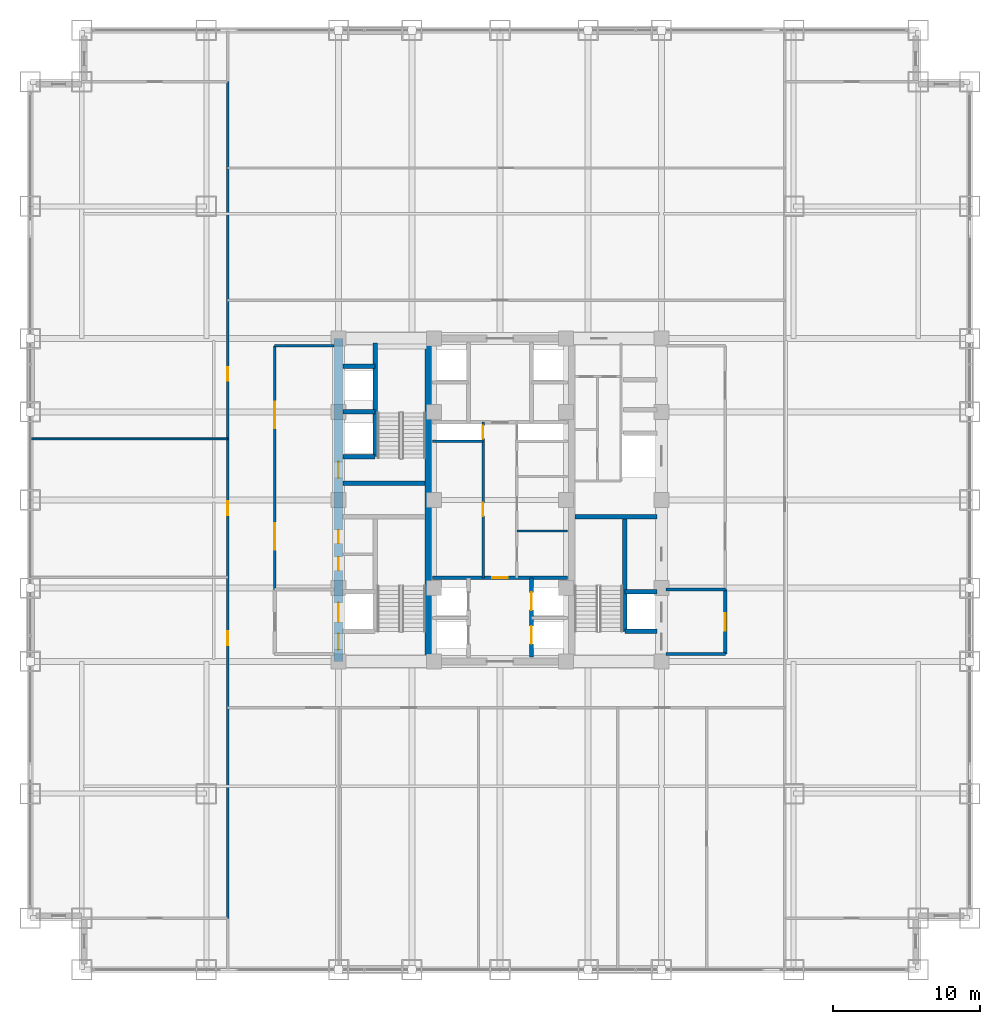
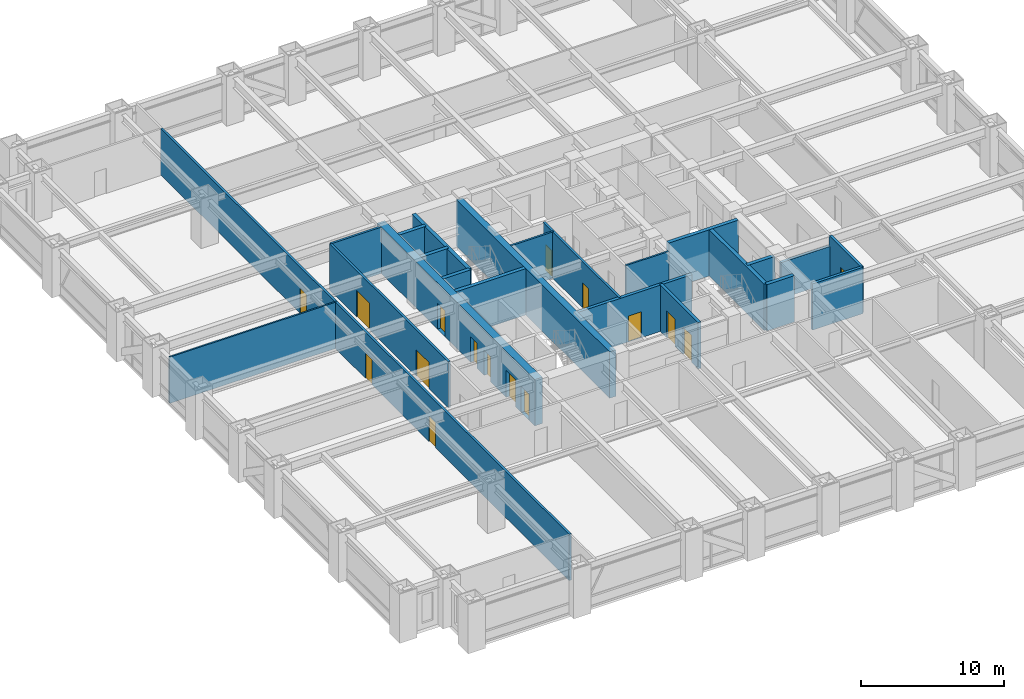
# One storey, part 24 of 27: 23 walls, 16 doors, 16 openings.
"""IFC4 building model written with IfcOpenShell, lengths in metres."""

from ifc_helpers import new_model, si_unit, direction, frame, frame_2d, origin, place, context, subcontext, project, spatial, rectangle, extrude, source, transform, mapped, material, layer, layer_set, type_object, element, fill, save


model = new_model("IFC4")

# Units and contexts
model_context = context("Model", 3, precision=1e-05, world=origin(), true_north=direction((0.0, 1.0)))
body_context = subcontext(model_context, "Body", "Model", "MODEL_VIEW")
ifc_project = project(units=[si_unit("LENGTHUNIT", "METRE"), si_unit("AREAUNIT", "SQUARE_METRE"), si_unit("VOLUMEUNIT", "CUBIC_METRE"), si_unit("PLANEANGLEUNIT", "RADIAN"), si_unit("MASSUNIT", "GRAM", prefix="KILO")], contexts=[model_context])

# Site, building, storey
site_placement = place(None, origin())
site = spatial("IfcSite", under=ifc_project, at=site_placement, CompositionType="ELEMENT")
building_placement = place(site_placement, origin())
building = spatial("IfcBuilding", under=site, at=building_placement, Name="Khorayat Bourse Tower", CompositionType="ELEMENT")
storey_placement = place(building_placement, frame((0.0, 0.0, 49.39990234375)))
storey = spatial("IfcBuildingStorey", under=building, at=storey_placement, Name="L10", CompositionType="ELEMENT", Elevation=49.39990234375)

# Wall, openings, doors
ifc_material_1 = material(Name="Concrete C60/75", Category="concrete")
ifc_layer_1 = layer(ifc_material_1, 0.60009765625)
ifc_layer_set_1 = layer_set([ifc_layer_1], Name="Concrete C60/75")
wall_type_1 = type_object("IfcWallType", Name="WAL-CORE-600", PredefinedType="SHEAR", material=ifc_layer_set_1)
shared_shape_1 = source(origin(), body_context, "Body", "SweptSolid", [
    extrude(rectangle(XDim=22.0, YDim=0.60009765625, at=frame_2d((11.0, 0.0))), origin(), (0.0, 0.0, 1.0), 3.940185546875),
])
wall_1_placement = place(storey_placement, frame((-11.0, -11.0, 0.0), z_axis=(0.0, 0.0, 1.0), x_axis=(0.0, 1.0, 0.0)))
wall_1 = element("IfcWall", 1, at=wall_1_placement, inside=storey, type_object=wall_type_1, Name="L10 Core Shear Wall CORE-W", PredefinedType="SHEAR", context=body_context, shape_type="MappedRepresentation", body=[
    mapped(shared_shape_1, transform((0.0, 0.0, 0.0), scale=1.0)),
])
shared_shape_2 = source(origin(), body_context, "Body", "SweptSolid", [
    extrude(rectangle(XDim=1.10009765625, YDim=2.199951171875, at=frame_2d((0.550048828125, 1.10009765625))), frame((0.0, 0.31005859375, 0.0), z_axis=(0.0, -1.0, 0.0), x_axis=(1.0, 0.0, 0.0)), (0.0, 0.0, 1.0), 0.6201171875),
])
opening_1_placement = place(wall_1_placement, frame((0.800048828125, 0.0, 0.0)))
opening_1 = element("IfcOpeningElement", 2, at=opening_1_placement, cuts=wall_1, Name="Opening DI-01", PredefinedType="OPENING", context=body_context, shape_type="MappedRepresentation", body=[
    mapped(shared_shape_2, transform((0.0, 0.0, 0.0), scale=1.0)),
])
opening_2_placement = place(wall_1_placement, frame((12.5, 0.0, 0.0)))
opening_2 = element("IfcOpeningElement", 3, at=opening_2_placement, cuts=wall_1, Name="Opening DI-01", PredefinedType="OPENING", context=body_context, shape_type="MappedRepresentation", body=[
    mapped(shared_shape_2, transform((0.0, 0.0, 0.0), scale=1.0)),
])
shared_shape_3 = source(origin(), body_context, "Body", "SweptSolid", [
    extrude(rectangle(XDim=0.89990234375, YDim=2.14990234375, at=frame_2d((0.449951171875, 1.074951171875))), frame((0.0, 0.31005859375, 0.0), z_axis=(0.0, -1.0, 0.0), x_axis=(1.0, 0.0, 0.0)), (0.0, 0.0, 1.0), 0.6201171875),
])
opening_3_placement = place(wall_1_placement, frame((6.199951171875, 0.0, 0.0)))
opening_3 = element("IfcOpeningElement", 4, at=opening_3_placement, cuts=wall_1, Name="Opening DI-06", PredefinedType="OPENING", context=body_context, shape_type="MappedRepresentation", body=[
    mapped(shared_shape_3, transform((0.0, 0.0, 0.0), scale=1.0)),
])
opening_4_placement = place(wall_1_placement, frame((8.050048828125, 0.0, 0.0)))
opening_4 = element("IfcOpeningElement", 5, at=opening_4_placement, cuts=wall_1, Name="Opening DI-06", PredefinedType="OPENING", context=body_context, shape_type="MappedRepresentation", body=[
    mapped(shared_shape_3, transform((0.0, 0.0, 0.0), scale=1.0)),
])
shared_shape_4 = source(origin(), body_context, "Body", "SweptSolid", [
    extrude(rectangle(XDim=1.300048828125, YDim=2.300048828125, at=frame_2d((0.64990234375, 1.14990234375))), frame((0.0, 0.31005859375, 0.0), z_axis=(0.0, -1.0, 0.0), x_axis=(1.0, 0.0, 0.0)), (0.0, 0.0, 1.0), 0.6201171875),
])
opening_5_placement = place(wall_1_placement, frame((2.699951171875, 0.0, 0.0)))
opening_5 = element("IfcOpeningElement", 6, at=opening_5_placement, cuts=wall_1, Name="Opening LD-02", PredefinedType="OPENING", context=body_context, shape_type="MappedRepresentation", body=[
    mapped(shared_shape_4, transform((0.0, 0.0, 0.0), scale=1.0)),
])
ifc_material_2 = material(Name="Fire-rated steel acoustic leaf", Category="steel")
door_type_1 = type_object("IfcDoorType", Name="DR-INT-STAIR-1100", OperationType="NOTDEFINED", PredefinedType="DOOR", material=ifc_material_2)
shared_shape_5 = source(origin(), body_context, "Body", "SweptSolid", [
    extrude(rectangle(XDim=1.10009765625, YDim=2.199951171875, at=frame_2d((0.550048828125, 1.10009765625))), frame((0.0, 0.02490234375, 0.0), z_axis=(0.0, -1.0, 0.0), x_axis=(1.0, 0.0, 0.0)), (0.0, 0.0, 1.0), 0.050048828125),
])
door_1_placement = place(opening_1_placement, origin())
door_1 = element("IfcDoor", 7, at=door_1_placement, inside=storey, type_object=door_type_1, Name="L10 Exit Stair 1 Door", OperationType="SINGLE_SWING_RIGHT", OverallHeight=2.199951171875, OverallWidth=1.10009765625, PredefinedType="DOOR", context=body_context, shape_type="MappedRepresentation", body=[
    mapped(shared_shape_5, transform((0.0, 0.0, 0.0), scale=1.0)),
])
fill(opening_1, door_1)
door_2_placement = place(opening_2_placement, origin())
door_2 = element("IfcDoor", 8, at=door_2_placement, inside=storey, type_object=door_type_1, Name="L10 Exit Stair 2 Door", OperationType="SINGLE_SWING_RIGHT", OverallHeight=2.199951171875, OverallWidth=1.10009765625, PredefinedType="DOOR", context=body_context, shape_type="MappedRepresentation", body=[
    mapped(shared_shape_5, transform((0.0, 0.0, 0.0), scale=1.0)),
])
fill(opening_2, door_2)
ifc_material_3 = material(Name="Moisture-resistant laminate washroom door")
door_type_2 = type_object("IfcDoorType", Name="DR-INT-WC-900", OperationType="NOTDEFINED", PredefinedType="DOOR", material=ifc_material_3)
shared_shape_6 = source(origin(), body_context, "Body", "SweptSolid", [
    extrude(rectangle(XDim=0.89990234375, YDim=2.14990234375, at=frame_2d((0.449951171875, 1.074951171875))), frame((0.0, 0.02490234375, 0.0), z_axis=(0.0, -1.0, 0.0), x_axis=(1.0, 0.0, 0.0)), (0.0, 0.0, 1.0), 0.050048828125),
])
door_3_placement = place(opening_3_placement, origin())
door_3 = element("IfcDoor", 9, at=door_3_placement, inside=storey, type_object=door_type_2, Name="L10 Electrical Plant Room Door", OperationType="SINGLE_SWING_RIGHT", OverallHeight=2.14990234375, OverallWidth=0.89990234375, PredefinedType="DOOR", context=body_context, shape_type="MappedRepresentation", body=[
    mapped(shared_shape_6, transform((0.0, 0.0, 0.0), scale=1.0)),
])
fill(opening_3, door_3)
door_4_placement = place(opening_4_placement, origin())
door_4 = element("IfcDoor", 10, at=door_4_placement, inside=storey, type_object=door_type_2, Name="L10 Cleaner Storage Room Door", OperationType="SINGLE_SWING_LEFT", OverallHeight=2.14990234375, OverallWidth=0.89990234375, PredefinedType="DOOR", context=body_context, shape_type="MappedRepresentation", body=[
    mapped(shared_shape_6, transform((0.0, 0.0, 0.0), scale=1.0)),
])
fill(opening_4, door_4)
ifc_material_4 = material(Name="Fire-rated stainless-steel sliding landing door", Category="steel")
door_type_3 = type_object("IfcDoorType", Name="DR-LIFT-FF-1300", OperationType="NOTDEFINED", PredefinedType="DOOR", material=ifc_material_4)
shared_shape_7 = source(origin(), body_context, "Body", "SweptSolid", [
    extrude(rectangle(XDim=1.300048828125, YDim=2.300048828125, at=frame_2d((0.64990234375, 1.14990234375))), frame((0.0, 0.02490234375, 0.0), z_axis=(0.0, -1.0, 0.0), x_axis=(1.0, 0.0, 0.0)), (0.0, 0.0, 1.0), 0.050048828125),
])
door_5_placement = place(opening_5_placement, origin())
door_5 = element("IfcDoor", 11, at=door_5_placement, inside=storey, type_object=door_type_3, Name="L10 Lift FFL-01 Sliding Landing Door", OperationType="SLIDING_TO_LEFT", OverallHeight=2.300048828125, OverallWidth=1.300048828125, PredefinedType="DOOR", context=body_context, shape_type="MappedRepresentation", body=[
    mapped(shared_shape_7, transform((0.0, 0.0, 0.0), scale=1.0)),
])
fill(opening_5, door_5)

# Walls
ifc_material_5 = material(Name="Concrete C52/65", Category="concrete")
ifc_layer_2 = layer(ifc_material_5, 0.5)
ifc_layer_set_2 = layer_set([ifc_layer_2], Name="Concrete C52/65")
wall_type_2 = type_object("IfcWallType", Name="WAL-CORE-500", PredefinedType="SHEAR", material=ifc_layer_set_2)
shared_shape_8 = source(origin(), body_context, "Body", "SweptSolid", [
    extrude(rectangle(XDim=21.39990234375, YDim=0.5, at=frame_2d((10.699951171875, 0.0))), origin(), (0.0, 0.0, 1.0), 3.940185546875),
])
wall_2_placement = place(storey_placement, frame((-4.85009765625, -10.699951171875, 0.0), z_axis=(0.0, 0.0, 1.0), x_axis=(0.0, 1.0, 0.0)))
element("IfcWall", 12, at=wall_2_placement, inside=storey, type_object=wall_type_2, Name="L10 Core Shear Wall PIER-W", PredefinedType="SHEAR", context=body_context, shape_type="MappedRepresentation", body=[
    mapped(shared_shape_8, transform((0.0, 0.0, 0.0), scale=1.0)),
])
ifc_material_6 = material(Name="Concrete C50/60", Category="concrete")
ifc_layer_3 = layer(ifc_material_6, 0.300048828125)
ifc_layer_set_3 = layer_set([ifc_layer_3], Name="Concrete C50/60")
wall_type_3 = type_object("IfcWallType", Name="WAL-SHAFT-300", PredefinedType="SHEAR", material=ifc_layer_set_3)
shared_shape_9 = source(origin(), body_context, "Body", "SweptSolid", [
    extrude(rectangle(XDim=5.599853515625, YDim=0.300048828125, at=frame_2d((2.7998046875, 0.0))), origin(), (0.0, 0.0, 1.0), 3.940185546875),
])
for number, where, z_axis, x_axis, name in (
    (13, (-10.699951171875, 1.14990234375, 0.0), (0.0, 0.0, 1.0), (1.0, 0.0, 0.0), "L10 Core Shear Wall ST2-DIV"),
    (14, (5.10009765625, -1.14990234375, 0.0), (0.0, 0.0, 1.0), (1.0, 0.0, 0.0), "L10 Core Shear Wall ST3-DIV"),
):
    element("IfcWall", number, at=place(storey_placement, frame(where, z_axis=z_axis, x_axis=x_axis)), inside=storey, type_object=wall_type_3, Name=name, PredefinedType="SHEAR", context=body_context, shape_type="MappedRepresentation", body=[
        mapped(shared_shape_9, transform((0.0, 0.0, 0.0), scale=1.0)),
    ])
shared_shape_10 = source(origin(), body_context, "Body", "SweptSolid", [
    extrude(rectangle(XDim=7.800048828125, YDim=0.300048828125, at=frame_2d((3.89990234375, 0.0))), origin(), (0.0, 0.0, 1.0), 3.940185546875),
])
wall_3_placement = place(storey_placement, frame((8.5, -8.949951171875, 0.0), z_axis=(0.0, 0.0, 1.0), x_axis=(0.0, 1.0, 0.0)))
element("IfcWall", 15, at=wall_3_placement, inside=storey, type_object=wall_type_3, Name="L10 Partition WAL-L10-EPIER-SP", PredefinedType="SHEAR", context=body_context, shape_type="MappedRepresentation", body=[
    mapped(shared_shape_10, transform((0.0, 0.0, 0.0), scale=1.0)),
])
shared_shape_11 = source(origin(), body_context, "Body", "SweptSolid", [
    extrude(rectangle(XDim=2.199951171875, YDim=0.300048828125, at=frame_2d((1.10009765625, 0.0))), origin(), (0.0, 0.0, 1.0), 3.940185546875),
])
for number, where, z_axis, x_axis, name in (
    (16, (-10.699951171875, 2.949951171875, 0.0), (0.0, 0.0, 1.0), (1.0, 0.0, 0.0), "L10 Partition WAL-L10-WPIER-H1S"),
    (17, (-10.699951171875, 6.0, 0.0), (0.0, 0.0, 1.0), (1.0, 0.0, 0.0), "L10 Partition WAL-L10-WPIER-H12"),
    (18, (-10.699951171875, 9.10009765625, 0.0), (0.0, 0.0, 1.0), (1.0, 0.0, 0.0), "L10 Partition WAL-L10-WPIER-H2N"),
    (19, (8.5, -8.949951171875, 0.0), (0.0, 0.0, 1.0), (1.0, 0.0, 0.0), "L10 Partition WAL-L10-EPIER-FF2S"),
    (20, (8.5, -6.25, 0.0), (0.0, 0.0, 1.0), (1.0, 0.0, 0.0), "L10 Partition WAL-L10-EPIER-FF2N"),
):
    element("IfcWall", number, at=place(storey_placement, frame(where, z_axis=z_axis, x_axis=x_axis)), inside=storey, type_object=wall_type_3, Name=name, PredefinedType="SHEAR", context=body_context, shape_type="MappedRepresentation", body=[
        mapped(shared_shape_11, transform((0.0, 0.0, 0.0), scale=1.0)),
    ])
shared_shape_12 = source(origin(), body_context, "Body", "SweptSolid", [
    extrude(rectangle(XDim=7.75, YDim=0.300048828125, at=frame_2d((3.875, 0.0))), origin(), (0.0, 0.0, 1.0), 3.940185546875),
])
wall_4_placement = place(storey_placement, frame((-8.5, 2.949951171875, 0.0), z_axis=(0.0, 0.0, 1.0), x_axis=(0.0, 1.0, 0.0)))
element("IfcWall", 21, at=wall_4_placement, inside=storey, type_object=wall_type_3, Name="L10 Partition WAL-L10-WPIER-ST2S", PredefinedType="SHEAR", context=body_context, shape_type="MappedRepresentation", body=[
    mapped(shared_shape_12, transform((0.0, 0.0, 0.0), scale=1.0)),
])
ifc_material_7 = material(Name="Aerated concrete blockwork", Category="masonry")
ifc_layer_4 = layer(ifc_material_7, 0.219970703125)
ifc_layer_set_4 = layer_set([ifc_layer_4], Name="Aerated concrete blockwork")
wall_type_4 = type_object("IfcWallType", Name="WAL-PART-FF-220", PredefinedType="PARTITIONING", material=ifc_layer_set_4)
shared_shape_13 = source(origin(), body_context, "Body", "SweptSolid", [
    extrude(rectangle(XDim=4.050048828125, YDim=0.219970703125, at=frame_2d((2.02490234375, 0.0))), origin(), (0.0, 0.0, 1.0), 3.940185546875),
])
wall_5_placement = place(storey_placement, frame((11.300048828125, -10.5, 0.0), z_axis=(0.0, 0.0, 1.0), x_axis=(1.0, 0.0, 0.0)))
element("IfcWall", 22, at=wall_5_placement, inside=storey, type_object=wall_type_4, Name="L10 Partition WAL-L10-FFLE-S", PredefinedType="PARTITIONING", context=body_context, shape_type="MappedRepresentation", body=[
    mapped(shared_shape_13, transform((0.0, 0.0, 0.0), scale=1.0)),
])
shared_shape_14 = source(origin(), body_context, "Body", "SweptSolid", [
    extrude(rectangle(XDim=4.050048828125, YDim=0.219970703125, at=frame_2d((2.02490234375, 0.0))), origin(), (0.0, 0.0, 1.0), 3.085205078125),
])
wall_6_placement = place(storey_placement, frame((11.300048828125, -6.10009765625, 0.0), z_axis=(0.0, 0.0, 1.0), x_axis=(1.0, 0.0, 0.0)))
element("IfcWall", 23, at=wall_6_placement, inside=storey, type_object=wall_type_4, Name="L10 Partition WAL-L10-FFLE-N", PredefinedType="PARTITIONING", context=body_context, shape_type="MappedRepresentation", body=[
    mapped(shared_shape_14, transform((0.0, 0.0, 0.0), scale=1.0)),
])

# Wall, opening, door
shared_shape_15 = source(origin(), body_context, "Body", "SweptSolid", [
    extrude(rectangle(XDim=4.39990234375, YDim=0.219970703125, at=frame_2d((2.199951171875, 0.0))), origin(), (0.0, 0.0, 1.0), 3.940185546875),
])
wall_7_placement = place(storey_placement, frame((15.35009765625, -10.5, 0.0), z_axis=(0.0, 0.0, 1.0), x_axis=(0.0, 1.0, 0.0)))
wall_7 = element("IfcWall", 24, at=wall_7_placement, inside=storey, type_object=wall_type_4, Name="L10 Partition WAL-L10-FFLE-E", PredefinedType="PARTITIONING", context=body_context, shape_type="MappedRepresentation", body=[
    mapped(shared_shape_15, transform((0.0, 0.0, 0.0), scale=1.0)),
])
shared_shape_16 = source(origin(), body_context, "Body", "SweptSolid", [
    extrude(rectangle(XDim=1.199951171875, YDim=2.199951171875, at=frame_2d((0.60009765625, 1.10009765625))), frame((0.0, 0.119873046875, 0.0), z_axis=(0.0, -1.0, 0.0), x_axis=(1.0, 0.0, 0.0)), (0.0, 0.0, 1.0), 0.239990234375),
])
opening_6_placement = place(wall_7_placement, frame((1.60009765625, 0.0, 0.0)))
opening_6 = element("IfcOpeningElement", 25, at=opening_6_placement, cuts=wall_7, Name="Opening DI-02", PredefinedType="OPENING", context=body_context, shape_type="MappedRepresentation", body=[
    mapped(shared_shape_16, transform((0.0, 0.0, 0.0), scale=1.0)),
])
ifc_material_8 = material(Name="Fire-rated steel double-seal leaf", Category="steel")
door_type_4 = type_object("IfcDoorType", Name="DR-INT-FFLOBBY-1200", OperationType="NOTDEFINED", PredefinedType="DOOR", material=ifc_material_8)
shared_shape_17 = source(origin(), body_context, "Body", "SweptSolid", [
    extrude(rectangle(XDim=1.199951171875, YDim=2.199951171875, at=frame_2d((0.60009765625, 1.10009765625))), frame((0.0, 0.02490234375, 0.0), z_axis=(0.0, -1.0, 0.0), x_axis=(1.0, 0.0, 0.0)), (0.0, 0.0, 1.0), 0.050048828125),
])
door_6_placement = place(opening_6_placement, origin())
door_6 = element("IfcDoor", 26, at=door_6_placement, inside=storey, type_object=door_type_4, Name="L10 East Firefighting Lobby Door", OperationType="SINGLE_SWING_RIGHT", OverallHeight=2.199951171875, OverallWidth=1.199951171875, PredefinedType="DOOR", context=body_context, shape_type="MappedRepresentation", body=[
    mapped(shared_shape_17, transform((0.0, 0.0, 0.0), scale=1.0)),
])
fill(opening_6, door_6)

# Wall
ifc_material_9 = material(Name="Gypsum plasterboard acoustic stud wall")
ifc_layer_5 = layer(ifc_material_9, 0.179931640625)
ifc_layer_set_5 = layer_set([ifc_layer_5], Name="Gypsum plasterboard acoustic stud wall")
wall_type_5 = type_object("IfcWallType", Name="WAL-PART-CORR-180", PredefinedType="PARTITIONING", material=ifc_layer_set_5)
shared_shape_18 = source(origin(), body_context, "Body", "SweptSolid", [
    extrude(rectangle(XDim=4.050048828125, YDim=0.179931640625, at=frame_2d((2.02490234375, 0.0))), origin(), (0.0, 0.0, 1.0), 3.940185546875),
])
wall_8_placement = place(storey_placement, frame((-15.35009765625, 10.5, 0.0), z_axis=(0.0, 0.0, 1.0), x_axis=(1.0, 0.0, 0.0)))
element("IfcWall", 27, at=wall_8_placement, inside=storey, type_object=wall_type_5, Name="L10 Partition WAL-L10-WLOB-N", PredefinedType="PARTITIONING", context=body_context, shape_type="MappedRepresentation", body=[
    mapped(shared_shape_18, transform((0.0, 0.0, 0.0), scale=1.0)),
])

# Wall, openings, doors
shared_shape_19 = source(origin(), body_context, "Body", "SweptSolid", [
    extrude(rectangle(XDim=16.60009765625, YDim=0.179931640625, at=frame_2d((8.300048828125, 0.0))), origin(), (0.0, 0.0, 1.0), 3.940185546875),
])
wall_9_placement = place(storey_placement, frame((-15.35009765625, -6.10009765625, 0.0), z_axis=(0.0, 0.0, 1.0), x_axis=(0.0, 1.0, 0.0)))
wall_9 = element("IfcWall", 28, at=wall_9_placement, inside=storey, type_object=wall_type_5, Name="L10 Partition WAL-L10-WLOB-W", PredefinedType="PARTITIONING", context=body_context, shape_type="MappedRepresentation", body=[
    mapped(shared_shape_19, transform((0.0, 0.0, 0.0), scale=1.0)),
])
shared_shape_20 = source(origin(), body_context, "Body", "SweptSolid", [
    extrude(rectangle(XDim=1.800048828125, YDim=2.25, at=frame_2d((0.89990234375, 1.125))), frame((0.0, 0.099853515625, 0.0), z_axis=(0.0, -1.0, 0.0), x_axis=(1.0, 0.0, 0.0)), (0.0, 0.0, 1.0), 0.199951171875),
])
opening_7_placement = place(wall_9_placement, frame((2.699951171875, 0.0, 0.0)))
opening_7 = element("IfcOpeningElement", 29, at=opening_7_placement, cuts=wall_9, Name="Opening DI-03", PredefinedType="OPENING", context=body_context, shape_type="MappedRepresentation", body=[
    mapped(shared_shape_20, transform((0.0, 0.0, 0.0), scale=1.0)),
])
opening_8_placement = place(wall_9_placement, frame((11.0, 0.0, 0.0)))
opening_8 = element("IfcOpeningElement", 30, at=opening_8_placement, cuts=wall_9, Name="Opening DI-03", PredefinedType="OPENING", context=body_context, shape_type="MappedRepresentation", body=[
    mapped(shared_shape_20, transform((0.0, 0.0, 0.0), scale=1.0)),
])
ifc_material_10 = material(Name="Fire-rated hardwood vision-panel double leaf", Category="wood")
door_type_5 = type_object("IfcDoorType", Name="DR-INT-CORR-1800", OperationType="NOTDEFINED", PredefinedType="DOOR", material=ifc_material_10)
shared_shape_21 = source(origin(), body_context, "Body", "SweptSolid", [
    extrude(rectangle(XDim=1.800048828125, YDim=2.25, at=frame_2d((0.89990234375, 1.125))), frame((0.0, 0.02490234375, 0.0), z_axis=(0.0, -1.0, 0.0), x_axis=(1.0, 0.0, 0.0)), (0.0, 0.0, 1.0), 0.050048828125),
])
door_7_placement = place(opening_7_placement, origin())
door_7 = element("IfcDoor", 31, at=door_7_placement, inside=storey, type_object=door_type_5, Name="L10 West Core Lobby South Door", OperationType="SINGLE_SWING_LEFT", OverallHeight=2.25, OverallWidth=1.800048828125, PredefinedType="DOOR", context=body_context, shape_type="MappedRepresentation", body=[
    mapped(shared_shape_21, transform((0.0, 0.0, 0.0), scale=1.0)),
])
fill(opening_7, door_7)
door_8_placement = place(opening_8_placement, origin())
door_8 = element("IfcDoor", 32, at=door_8_placement, inside=storey, type_object=door_type_5, Name="L10 West Core Lobby North Door", OperationType="SINGLE_SWING_RIGHT", OverallHeight=2.25, OverallWidth=1.800048828125, PredefinedType="DOOR", context=body_context, shape_type="MappedRepresentation", body=[
    mapped(shared_shape_21, transform((0.0, 0.0, 0.0), scale=1.0)),
])
fill(opening_8, door_8)

# Wall
ifc_material_11 = material(Name="Gypsum plasterboard twin-frame partition")
ifc_layer_6 = layer(ifc_material_11, 0.14990234375)
ifc_layer_set_6 = layer_set([ifc_layer_6], Name="Gypsum plasterboard twin-frame partition")
wall_type_6 = type_object("IfcWallType", Name="WAL-PART-SUITE-150", PredefinedType="PARTITIONING", material=ifc_layer_set_6)
shared_shape_22 = source(origin(), body_context, "Body", "SweptSolid", [
    extrude(rectangle(XDim=3.4501953125, YDim=0.14990234375, at=frame_2d((1.72509765625, 0.0))), origin(), (0.0, 0.0, 1.0), 3.940185546875),
])
wall_10_placement = place(storey_placement, frame((-4.60009765625, 4.0, 0.0), z_axis=(0.0, 0.0, 1.0), x_axis=(1.0, 0.0, 0.0)))
element("IfcWall", 33, at=wall_10_placement, inside=storey, type_object=wall_type_6, Name="L10 Partition WAL-L10-CRSW-S", PredefinedType="PARTITIONING", context=body_context, shape_type="MappedRepresentation", body=[
    mapped(shared_shape_22, transform((0.0, 0.0, 0.0), scale=1.0)),
])

# Wall, openings, doors
shared_shape_23 = source(origin(), body_context, "Body", "SweptSolid", [
    extrude(rectangle(XDim=5.39990234375, YDim=0.25, at=frame_2d((2.699951171875, 0.0))), origin(), (0.0, 0.0, 1.0), 3.940185546875),
])
wall_11_placement = place(storey_placement, frame((2.14990234375, -10.699951171875, 0.0), z_axis=(0.0, 0.0, 1.0), x_axis=(0.0, 1.0, 0.0)))
wall_11 = element("IfcWall", 34, at=wall_11_placement, inside=storey, type_object=wall_type_3, Name="L10 Partition WAL-L10-B1-E", PredefinedType="SHEAR", context=body_context, shape_type="MappedRepresentation", body=[
    mapped(shared_shape_23, transform((0.0, 0.0, 0.0), scale=1.0)),
])
shared_shape_24 = source(origin(), body_context, "Body", "SweptSolid", [
    extrude(rectangle(XDim=1.199951171875, YDim=2.300048828125, at=frame_2d((0.60009765625, 1.14990234375))), frame((0.0, 0.135009765625, 0.0), z_axis=(0.0, -1.0, 0.0), x_axis=(1.0, 0.0, 0.0)), (0.0, 0.0, 1.0), 0.27001953125),
])
opening_9_placement = place(wall_11_placement, frame((0.89990234375, 0.0, 0.0)))
opening_9 = element("IfcOpeningElement", 35, at=opening_9_placement, cuts=wall_11, Name="Opening LD-01", PredefinedType="OPENING", context=body_context, shape_type="MappedRepresentation", body=[
    mapped(shared_shape_24, transform((0.0, 0.0, 0.0), scale=1.0)),
])
opening_10_placement = place(wall_11_placement, frame((3.199951171875, 0.0, 0.0)))
opening_10 = element("IfcOpeningElement", 36, at=opening_10_placement, cuts=wall_11, Name="Opening LD-01", PredefinedType="OPENING", context=body_context, shape_type="MappedRepresentation", body=[
    mapped(shared_shape_24, transform((0.0, 0.0, 0.0), scale=1.0)),
])
ifc_material_12 = material(Name="Brushed bronze stainless-steel sliding door", Category="steel")
door_type_6 = type_object("IfcDoorType", Name="DR-LIFT-PASS-1200", OperationType="NOTDEFINED", PredefinedType="DOOR", material=ifc_material_12)
shared_shape_25 = source(origin(), body_context, "Body", "SweptSolid", [
    extrude(rectangle(XDim=1.199951171875, YDim=2.300048828125, at=frame_2d((0.60009765625, 1.14990234375))), frame((0.0, 0.02490234375, 0.0), z_axis=(0.0, -1.0, 0.0), x_axis=(1.0, 0.0, 0.0)), (0.0, 0.0, 1.0), 0.050048828125),
])
door_9_placement = place(opening_9_placement, origin())
door_9 = element("IfcDoor", 37, at=door_9_placement, inside=storey, type_object=door_type_6, Name="L10 Lift PL-L2 Sliding Landing Door", OperationType="SLIDING_TO_LEFT", OverallHeight=2.300048828125, OverallWidth=1.199951171875, PredefinedType="DOOR", context=body_context, shape_type="MappedRepresentation", body=[
    mapped(shared_shape_25, transform((0.0, 0.0, 0.0), scale=1.0)),
])
fill(opening_9, door_9)
door_10_placement = place(opening_10_placement, origin())
door_10 = element("IfcDoor", 38, at=door_10_placement, inside=storey, type_object=door_type_6, Name="L10 Lift PL-L4 Sliding Landing Door", OperationType="SLIDING_TO_LEFT", OverallHeight=2.300048828125, OverallWidth=1.199951171875, PredefinedType="DOOR", context=body_context, shape_type="MappedRepresentation", body=[
    mapped(shared_shape_25, transform((0.0, 0.0, 0.0), scale=1.0)),
])
fill(opening_10, door_10)

# Wall, opening, door
shared_shape_26 = source(origin(), body_context, "Body", "SweptSolid", [
    extrude(rectangle(XDim=9.2001953125, YDim=0.25, at=frame_2d((4.60009765625, 0.0))), origin(), (0.0, 0.0, 1.0), 3.940185546875),
])
wall_12_placement = place(storey_placement, frame((-4.60009765625, -5.300048828125, 0.0), z_axis=(0.0, 0.0, 1.0), x_axis=(1.0, 0.0, 0.0)))
wall_12 = element("IfcWall", 39, at=wall_12_placement, inside=storey, type_object=wall_type_3, Name="L10 Partition WAL-L10-B1-N", PredefinedType="SHEAR", context=body_context, shape_type="MappedRepresentation", body=[
    mapped(shared_shape_26, transform((0.0, 0.0, 0.0), scale=1.0)),
])
shared_shape_27 = source(origin(), body_context, "Body", "SweptSolid", [
    extrude(rectangle(XDim=1.050048828125, YDim=2.199951171875, at=frame_2d((0.52490234375, 1.10009765625))), frame((0.0, 0.135009765625, 0.0), z_axis=(0.0, -1.0, 0.0), x_axis=(1.0, 0.0, 0.0)), (0.0, 0.0, 1.0), 0.27001953125),
])
opening_11_placement = place(wall_12_placement, frame((4.074951171875, 0.0, 0.0)))
opening_11 = element("IfcOpeningElement", 40, at=opening_11_placement, cuts=wall_12, Name="Opening DI-04", PredefinedType="OPENING", context=body_context, shape_type="MappedRepresentation", body=[
    mapped(shared_shape_27, transform((0.0, 0.0, 0.0), scale=1.0)),
])
ifc_material_13 = material(Name="Fire-rated oak veneer suite entrance door")
door_type_7 = type_object("IfcDoorType", Name="DR-INT-SUITE-1050", OperationType="NOTDEFINED", PredefinedType="DOOR", material=ifc_material_13)
shared_shape_28 = source(origin(), body_context, "Body", "SweptSolid", [
    extrude(rectangle(XDim=1.050048828125, YDim=2.199951171875, at=frame_2d((0.52490234375, 1.10009765625))), frame((0.0, 0.02490234375, 0.0), z_axis=(0.0, -1.0, 0.0), x_axis=(1.0, 0.0, 0.0)), (0.0, 0.0, 1.0), 0.050048828125),
])
door_11_placement = place(opening_11_placement, origin())
door_11 = element("IfcDoor", 41, at=door_11_placement, inside=storey, type_object=door_type_7, Name="L10 Core Spine South Door", OperationType="SINGLE_SWING_LEFT", OverallHeight=2.199951171875, OverallWidth=1.050048828125, PredefinedType="DOOR", context=body_context, shape_type="MappedRepresentation", body=[
    mapped(shared_shape_28, transform((0.0, 0.0, 0.0), scale=1.0)),
])
fill(opening_11, door_11)

# Wall, openings, doors
shared_shape_29 = source(origin(), body_context, "Body", "SweptSolid", [
    extrude(rectangle(XDim=10.60009765625, YDim=0.179931640625, at=frame_2d((5.300048828125, 0.0))), origin(), (0.0, 0.0, 1.0), 3.940185546875),
])
wall_13_placement = place(storey_placement, frame((-1.14990234375, -5.300048828125, 0.0), z_axis=(0.0, 0.0, 1.0), x_axis=(0.0, 1.0, 0.0)))
wall_13 = element("IfcWall", 42, at=wall_13_placement, inside=storey, type_object=wall_type_5, Name="L10 Partition WAL-L10-CMW-L", PredefinedType="PARTITIONING", context=body_context, shape_type="MappedRepresentation", body=[
    mapped(shared_shape_29, transform((0.0, 0.0, 0.0), scale=1.0)),
])
shared_shape_30 = source(origin(), body_context, "Body", "SweptSolid", [
    extrude(rectangle(XDim=0.89990234375, YDim=2.14990234375, at=frame_2d((0.449951171875, 1.074951171875))), frame((0.0, 0.099853515625, 0.0), z_axis=(0.0, -1.0, 0.0), x_axis=(1.0, 0.0, 0.0)), (0.0, 0.0, 1.0), 0.199951171875),
])
opening_12_placement = place(wall_13_placement, frame((4.199951171875, 0.0, 0.0)))
opening_12 = element("IfcOpeningElement", 43, at=opening_12_placement, cuts=wall_13, Name="Opening DI-06", PredefinedType="OPENING", context=body_context, shape_type="MappedRepresentation", body=[
    mapped(shared_shape_30, transform((0.0, 0.0, 0.0), scale=1.0)),
])
opening_13_placement = place(wall_13_placement, frame((9.47509765625, 0.0, 0.0)))
opening_13 = element("IfcOpeningElement", 44, at=opening_13_placement, cuts=wall_13, Name="Opening DI-06", PredefinedType="OPENING", context=body_context, shape_type="MappedRepresentation", body=[
    mapped(shared_shape_30, transform((0.0, 0.0, 0.0), scale=1.0)),
])
door_12_placement = place(opening_12_placement, origin())
door_12 = element("IfcDoor", 45, at=door_12_placement, inside=storey, type_object=door_type_2, Name="L10 Male Core Washroom Door", OperationType="SINGLE_SWING_RIGHT", OverallHeight=2.14990234375, OverallWidth=0.89990234375, PredefinedType="DOOR", context=body_context, shape_type="MappedRepresentation", body=[
    mapped(shared_shape_6, transform((0.0, 0.0, 0.0), scale=1.0)),
])
fill(opening_12, door_12)
door_13_placement = place(opening_13_placement, origin())
door_13 = element("IfcDoor", 46, at=door_13_placement, inside=storey, type_object=door_type_2, Name="L10 West Core Riser Door", OperationType="SINGLE_SWING_LEFT", OverallHeight=2.14990234375, OverallWidth=0.89990234375, PredefinedType="DOOR", context=body_context, shape_type="MappedRepresentation", body=[
    mapped(shared_shape_6, transform((0.0, 0.0, 0.0), scale=1.0)),
])
fill(opening_13, door_13)

# Walls
ifc_material_14 = material(Name="Moisture-resistant masonry partition", Category="masonry")
ifc_layer_7 = layer(ifc_material_14, 0.139892578125)
ifc_layer_set_7 = layer_set([ifc_layer_7], Name="Moisture-resistant masonry partition")
wall_type_7 = type_object("IfcWallType", Name="WAL-PART-WET-140", PredefinedType="PARTITIONING", material=ifc_layer_set_7)
shared_shape_31 = source(origin(), body_context, "Body", "SweptSolid", [
    extrude(rectangle(XDim=3.4501953125, YDim=0.139892578125, at=frame_2d((1.72509765625, 0.0))), origin(), (0.0, 0.0, 1.0), 3.940185546875),
])
wall_14_placement = place(storey_placement, frame((1.14990234375, -2.10009765625, 0.0), z_axis=(0.0, 0.0, 1.0), x_axis=(1.0, 0.0, 0.0)))
element("IfcWall", 47, at=wall_14_placement, inside=storey, type_object=wall_type_7, Name="L10 Partition WAL-L10-CME-D1", PredefinedType="PARTITIONING", context=body_context, shape_type="MappedRepresentation", body=[
    mapped(shared_shape_31, transform((0.0, 0.0, 0.0), scale=1.0)),
])
ifc_material_15 = material(Name="Gypsum plasterboard partition")
ifc_layer_8 = layer(ifc_material_15, 0.125)
ifc_layer_set_8 = layer_set([ifc_layer_8], Name="Gypsum plasterboard partition")
wall_type_8 = type_object("IfcWallType", Name="WAL-PART-ROOM-125", PredefinedType="PARTITIONING", material=ifc_layer_set_8)
shared_shape_32 = source(origin(), body_context, "Body", "SweptSolid", [
    extrude(rectangle(XDim=13.449951171875, YDim=0.125, at=frame_2d((6.72509765625, 0.0))), origin(), (0.0, 0.0, 1.0), 3.940185546875),
])
wall_15_placement = place(storey_placement, frame((-32.0, 4.1650390625, 0.0), z_axis=(0.0, 0.0, 1.0), x_axis=(1.0, 0.0, 0.0)))
element("IfcWall", 48, at=wall_15_placement, inside=storey, type_object=wall_type_8, Name="L10 Partition WAL-L10-WDV-2", PredefinedType="PARTITIONING", context=body_context, shape_type="MappedRepresentation", body=[
    mapped(shared_shape_32, transform((0.0, 0.0, 0.0), scale=1.0)),
])

# Wall, openings, doors
shared_shape_33 = source(origin(), body_context, "Body", "SweptSolid", [
    extrude(rectangle(XDim=57.0, YDim=0.179931640625, at=frame_2d((28.5, 0.0))), origin(), (0.0, 0.0, 1.0), 3.940185546875),
])
wall_16_placement = place(storey_placement, frame((-18.550048828125, -28.5, 0.0), z_axis=(0.0, 0.0, 1.0), x_axis=(0.0, 1.0, 0.0)))
wall_16 = element("IfcWall", 49, at=wall_16_placement, inside=storey, type_object=wall_type_5, Name="L10 Partition WAL-L10-WCORR", PredefinedType="PARTITIONING", context=body_context, shape_type="MappedRepresentation", body=[
    mapped(shared_shape_33, transform((0.0, 0.0, 0.0), scale=1.0)),
])
shared_shape_34 = source(origin(), body_context, "Body", "SweptSolid", [
    extrude(rectangle(XDim=0.949951171875, YDim=2.14990234375, at=frame_2d((0.47509765625, 1.074951171875))), frame((0.0, 0.099853515625, 0.0), z_axis=(0.0, -1.0, 0.0), x_axis=(1.0, 0.0, 0.0)), (0.0, 0.0, 1.0), 0.199951171875),
])
opening_14_placement = place(wall_16_placement, frame((18.614990234375, 0.0, 0.0)))
opening_14 = element("IfcOpeningElement", 50, at=opening_14_placement, cuts=wall_16, Name="Opening DI-05", PredefinedType="OPENING", context=body_context, shape_type="MappedRepresentation", body=[
    mapped(shared_shape_34, transform((0.0, 0.0, 0.0), scale=1.0)),
])
opening_15_placement = place(wall_16_placement, frame((27.472412109375, 0.0, 0.0)))
opening_15 = element("IfcOpeningElement", 51, at=opening_15_placement, cuts=wall_16, Name="Opening DI-05", PredefinedType="OPENING", context=body_context, shape_type="MappedRepresentation", body=[
    mapped(shared_shape_34, transform((0.0, 0.0, 0.0), scale=1.0)),
])
opening_16_placement = place(wall_16_placement, frame((36.607421875, 0.0, 0.0)))
opening_16 = element("IfcOpeningElement", 52, at=opening_16_placement, cuts=wall_16, Name="Opening DI-05", PredefinedType="OPENING", context=body_context, shape_type="MappedRepresentation", body=[
    mapped(shared_shape_34, transform((0.0, 0.0, 0.0), scale=1.0)),
])
ifc_material_16 = material(Name="Acoustic oak veneer office door")
door_type_8 = type_object("IfcDoorType", Name="DR-INT-OFFICE-950", OperationType="NOTDEFINED", PredefinedType="DOOR", material=ifc_material_16)
shared_shape_35 = source(origin(), body_context, "Body", "SweptSolid", [
    extrude(rectangle(XDim=0.949951171875, YDim=2.14990234375, at=frame_2d((0.47509765625, 1.074951171875))), frame((0.0, 0.02490234375, 0.0), z_axis=(0.0, -1.0, 0.0), x_axis=(1.0, 0.0, 0.0)), (0.0, 0.0, 1.0), 0.050048828125),
])
door_14_placement = place(opening_14_placement, origin())
door_14 = element("IfcDoor", 53, at=door_14_placement, inside=storey, type_object=door_type_8, Name="L10 Public Washrooms and Restrooms W1 Door", OperationType="SINGLE_SWING_RIGHT", OverallHeight=2.14990234375, OverallWidth=0.949951171875, PredefinedType="DOOR", context=body_context, shape_type="MappedRepresentation", body=[
    mapped(shared_shape_35, transform((0.0, 0.0, 0.0), scale=1.0)),
])
fill(opening_14, door_14)
door_15_placement = place(opening_15_placement, origin())
door_15 = element("IfcDoor", 54, at=door_15_placement, inside=storey, type_object=door_type_8, Name="L10 Market Reference Library W2 Door", OperationType="SINGLE_SWING_LEFT", OverallHeight=2.14990234375, OverallWidth=0.949951171875, PredefinedType="DOOR", context=body_context, shape_type="MappedRepresentation", body=[
    mapped(shared_shape_35, transform((0.0, 0.0, 0.0), scale=1.0)),
])
fill(opening_15, door_15)
door_16_placement = place(opening_16_placement, origin())
door_16 = element("IfcDoor", 55, at=door_16_placement, inside=storey, type_object=door_type_8, Name="L10 Clearing Records Archive Store W3 Door", OperationType="SINGLE_SWING_RIGHT", OverallHeight=2.14990234375, OverallWidth=0.949951171875, PredefinedType="DOOR", context=body_context, shape_type="MappedRepresentation", body=[
    mapped(shared_shape_35, transform((0.0, 0.0, 0.0), scale=1.0)),
])
fill(opening_16, door_16)

save(model, "model.ifc")
